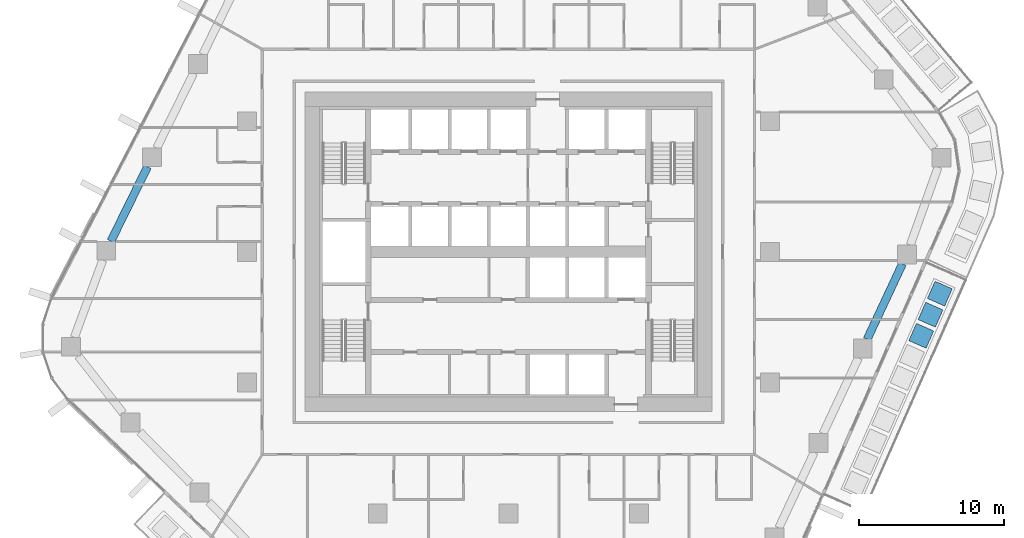
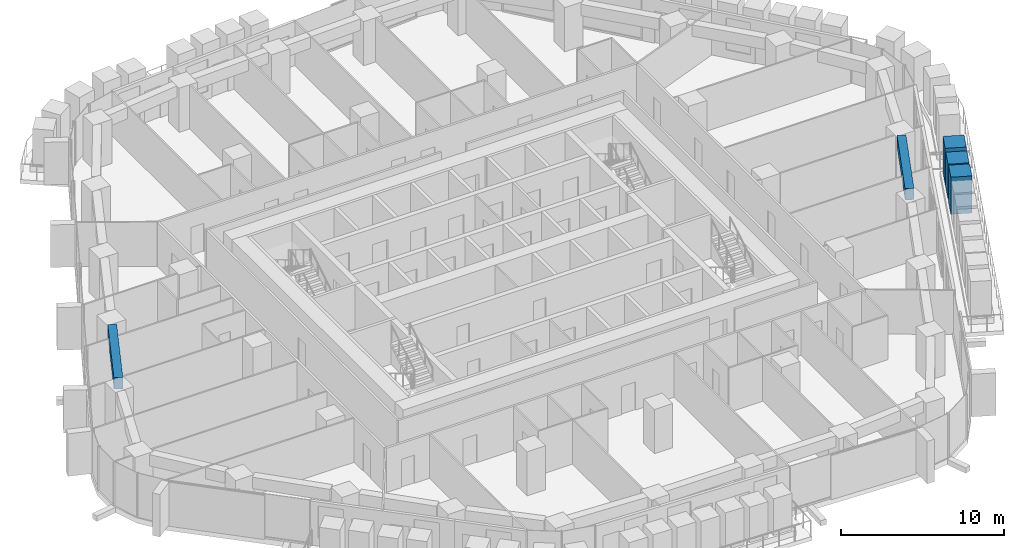
# One storey, part 5 of 24: 3 members, 2 beams.
"""IFC4 building model written with IfcOpenShell, lengths in metres."""

from ifc_helpers import new_model, si_unit, direction, frame, origin, origin_2d, place, context, subcontext, project, spatial, rectangle, extrude, material, material_profile, profile_set, type_object, element, save


model = new_model("IFC4")

# Units and contexts
model_context = context("Model", 3, precision=1e-05, world=origin(), true_north=direction((0.0, 1.0)))
body_context = subcontext(model_context, "Body", "Model", "MODEL_VIEW")
ifc_project = project(units=[si_unit("LENGTHUNIT", "METRE"), si_unit("AREAUNIT", "SQUARE_METRE"), si_unit("VOLUMEUNIT", "CUBIC_METRE"), si_unit("PLANEANGLEUNIT", "RADIAN"), si_unit("MASSUNIT", "GRAM", prefix="KILO")], contexts=[model_context])

# Site, building, storey
site_placement = place(None, origin())
site = spatial("IfcSite", under=ifc_project, at=site_placement, CompositionType="ELEMENT")
building_placement = place(site_placement, origin())
building = spatial("IfcBuilding", under=site, at=building_placement, Name="Dongbaek Canopy Tower", CompositionType="ELEMENT")
storey_placement = place(building_placement, frame((0.0, 0.0, 110.0)))
storey = spatial("IfcBuildingStorey", under=building, at=storey_placement, Name="L23", CompositionType="ELEMENT", Elevation=110.0)

# Beams
ifc_material_1 = material(Name="Concrete C80", Category="concrete")
ifc_material_profile_1 = material_profile(ifc_material_1, rectangle(XDim=0.550048828125, YDim=0.85009765625, at=origin_2d()), Name="RC EDGE BEAM 550x850 C80")
ifc_profile_set_1 = profile_set([ifc_material_profile_1], Name="Concrete C80")
beam_type = type_object("IfcBeamType", Name="RC EDGE BEAM 550x850 C80", PredefinedType="BEAM", material=ifc_profile_set_1)
beam_1_placement = place(storey_placement, frame((-27.373291015625, 0.73291015625, 2.875), z_axis=(0.441213203353, 0.89740231178, 0.0), x_axis=(-0.89740231178, 0.441213203353, 0.0)))
element("IfcBeam", 1, at=beam_1_placement, inside=storey, type_object=beam_type, Name="EDGEBEAM:L23:09", PredefinedType="BEAM", context=body_context, shape_type="SweptSolid", body=[
    extrude(rectangle(XDim=0.550048828125, YDim=0.85009765625, at=origin_2d()), origin(), (0.0, 0.0, 1.0), 5.72216796875),
])
beam_2_placement = place(storey_placement, frame((27.131591796875, -0.81494140625, 2.875), z_axis=(-0.424053070164, -0.90563734115, 0.0), x_axis=(0.90563734115, -0.424053070164, 0.0)))
element("IfcBeam", 2, at=beam_2_placement, inside=storey, type_object=beam_type, Name="EDGEBEAM:L23:22", PredefinedType="BEAM", context=body_context, shape_type="SweptSolid", body=[
    extrude(rectangle(XDim=0.550048828125, YDim=0.85009765625, at=origin_2d()), origin(), (0.0, 0.0, 1.0), 5.733154296875),
])

# Members
ifc_material_2 = material(Name="Concrete C40/50 planter mass with planting", Category="concrete")
ifc_material_profile_2 = material_profile(ifc_material_2, rectangle(XDim=1.300048828125, YDim=1.300048828125, at=origin_2d()), Name="Terrace PLANTER shrub mass 1300 x 1300")
ifc_profile_set_2 = profile_set([ifc_material_profile_2], Name="Concrete C40/50 planter mass with planting")
member_type = type_object("IfcMemberType", Name="Terrace PLANTER shrub mass 1300 x 1300", PredefinedType="USERDEFINED", material=ifc_profile_set_2)
member_1_placement = place(storey_placement, frame((28.423828125, -5.775146484375, 0.419921875), z_axis=(0.0, 0.0, 1.0), x_axis=(0.915072764797, -0.403288773867, 0.0)))
element("IfcMember", 3, at=member_1_placement, inside=storey, type_object=member_type, Name="Planter shrubs L23 5.8", ObjectType="PLANTER", PredefinedType="USERDEFINED", context=body_context, shape_type="SweptSolid", body=[
    extrude(rectangle(XDim=1.300048828125, YDim=1.300048828125, at=origin_2d()), origin(), (0.0, 0.0, 1.0), 2.780029296875),
])
member_2_placement = place(storey_placement, frame((29.063232421875, -4.323974609375, 0.419921875), z_axis=(0.0, 0.0, 1.0), x_axis=(0.915072764797, -0.403288773867, 0.0)))
element("IfcMember", 4, at=member_2_placement, inside=storey, type_object=member_type, Name="Planter shrubs L23 5.9", ObjectType="PLANTER", PredefinedType="USERDEFINED", context=body_context, shape_type="SweptSolid", body=[
    extrude(rectangle(XDim=1.300048828125, YDim=1.300048828125, at=origin_2d()), origin(), (0.0, 0.0, 1.0), 2.650146484375),
])
member_3_placement = place(storey_placement, frame((29.702880859375, -2.872802734375, 0.419921875), z_axis=(0.0, 0.0, 1.0), x_axis=(0.915072764797, -0.403288773867, 0.0)))
element("IfcMember", 5, at=member_3_placement, inside=storey, type_object=member_type, Name="Planter shrubs L23 5.10", ObjectType="PLANTER", PredefinedType="USERDEFINED", context=body_context, shape_type="SweptSolid", body=[
    extrude(rectangle(XDim=1.300048828125, YDim=1.300048828125, at=origin_2d()), origin(), (0.0, 0.0, 1.0), 2.72998046875),
])

save(model, "model.ifc")
